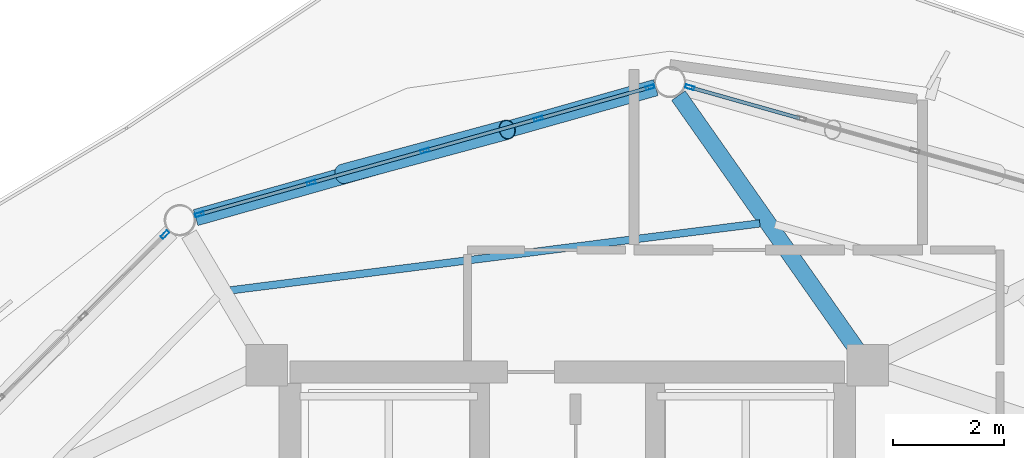
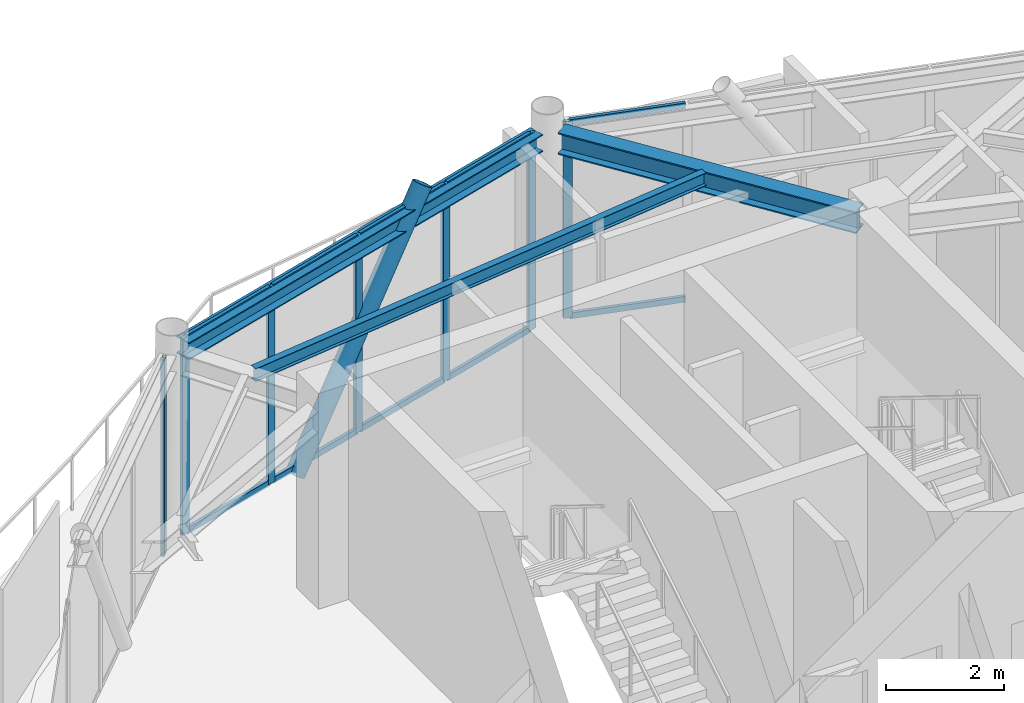
# One storey, part 15 of 24: 18 members, 3 beams, 3 elements without a shape of their own.
"""IFC4 building model written with IfcOpenShell, lengths in metres."""

import ifcopenshell
import ifcopenshell.guid

model = None  # the IFC model being written
_history = None  # IfcOwnerHistory: only IFC2X3 demands one
_inside = {}  # id of a spatial element -> (the spatial element, [elements in it])
_under = {}  # id of a project, library or spatial element -> (it, [spatial elements below it])
_declared = {}  # id of a project -> (the project, [libraries it declares])
_typed = {}  # id of a type object -> (the type object, [elements of that type])
_made_of = {}  # id of a material, layer set ... -> (it, [elements and type objects made of it])


def new_model(schema):
    """Start an empty IFC model of exactly this schema.

    Asked for "IFC4X3", IfcOpenShell would pick the latest addendum, in which some entities
    have other attributes; the version numbers below select the first issue.
    IFC2X3 requires an IfcOwnerHistory on every rooted entity: one is made here for all.
    """
    global model, _history
    if schema == "IFC4X3":
        model = ifcopenshell.file(schema_version=(4, 3, 0, 0))
    else:
        model = ifcopenshell.file(schema=schema)
    _inside.clear()
    _under.clear()
    _declared.clear()
    _typed.clear()
    _made_of.clear()
    _history = None
    if model.schema == "IFC2X3":
        org = make("IfcOrganization", Name="unknown")
        user = make(
            "IfcPersonAndOrganization",
            ThePerson=make("IfcPerson", FamilyName="unknown"),
            TheOrganization=org,
        )
        app = make(
            "IfcApplication",
            ApplicationDeveloper=org,
            Version="unknown",
            ApplicationFullName="unknown",
            ApplicationIdentifier="unknown",
        )
        _history = make(
            "IfcOwnerHistory",
            OwningUser=user,
            OwningApplication=app,
            ChangeAction="ADDED",
            CreationDate=0,
        )
    return model


def make(cls, **values):
    """One entity of the class cls with the attributes given. An attribute that is None is left unset."""
    return model.create_entity(
        cls, **{name: value for name, value in values.items() if value is not None}
    )


def rooted(cls, **values):
    """An entity with a GlobalId (a new one), such as an element, a storey or a relation."""
    return make(cls, GlobalId=ifcopenshell.guid.new(), OwnerHistory=_history, **values)


def si_unit(unit_type, name, prefix=None):
    """IfcSIUnit, for example si_unit("LENGTHUNIT", "METRE", prefix="MILLI")."""
    return make("IfcSIUnit", UnitType=unit_type, Prefix=prefix, Name=name)


def assignment(units):
    """IfcUnitAssignment: the units of a project."""
    return None if units is None else make("IfcUnitAssignment", Units=units)


def point(xyz):
    """IfcCartesianPoint."""
    return None if xyz is None else make("IfcCartesianPoint", Coordinates=xyz)


def direction(xyz):
    """IfcDirection."""
    return None if xyz is None else make("IfcDirection", DirectionRatios=xyz)


def frame(location, z_axis=None, x_axis=None):
    """IfcAxis2Placement3D, a coordinate frame: its origin and axes. An axis left out is left unset."""
    return make(
        "IfcAxis2Placement3D",
        Location=point(location),
        Axis=direction(z_axis),
        RefDirection=direction(x_axis),
    )


def frame_2d(location, x_axis=None):
    """IfcAxis2Placement2D, a coordinate frame in the plane: its origin and x axis."""
    return make(
        "IfcAxis2Placement2D", Location=point(location), RefDirection=direction(x_axis)
    )


def origin():
    """The frame at (0, 0, 0) with its axes left unset."""
    return frame((0.0, 0.0, 0.0))


def origin_2d():
    """The frame at (0, 0) in the plane with its x axis left unset."""
    return frame_2d((0.0, 0.0))


def place(relative_to, where):
    """IfcLocalPlacement: puts the frame where relative to a parent placement (None: the world)."""
    return make(
        "IfcLocalPlacement", PlacementRelTo=relative_to, RelativePlacement=where
    )


def context(
    kind, dimensions, precision=None, world=None, true_north=None, identifier=None
):
    """IfcGeometricRepresentationContext, for example the 3D "Model" context."""
    return make(
        "IfcGeometricRepresentationContext",
        ContextIdentifier=identifier,
        ContextType=kind,
        CoordinateSpaceDimension=dimensions,
        Precision=precision,
        WorldCoordinateSystem=world,
        TrueNorth=true_north,
    )


def subcontext(parent, identifier, kind, view, scale=None):
    """IfcGeometricRepresentationSubContext, for example "Body" below "Model"."""
    return make(
        "IfcGeometricRepresentationSubContext",
        ContextIdentifier=identifier,
        ContextType=kind,
        ParentContext=parent,
        TargetScale=scale,
        TargetView=view,
    )


def project(units=None, contexts=None):
    """IfcProject with its units and contexts."""
    return rooted(
        "IfcProject",
        Name="project",
        RepresentationContexts=contexts,
        UnitsInContext=assignment(units),
    )


def spatial(cls, under=None, at=None, **own):
    """A site, building, storey or space (cls), placed at a placement, below another one or the project."""
    s = rooted(cls, ObjectPlacement=at, **own)
    if under is not None:
        _under.setdefault(under.id(), (under, []))[1].append(s)
    return s


def profile(cls, at=None, kind="AREA", **sizes):
    """A parametric profile (cls). Its sizes go by their IFC names, for example OverallWidth=200.0."""
    return make(cls, ProfileType=kind, Position=at, **sizes)


def hollow_rectangle(**sizes):
    """IfcRectangleHollowProfileDef."""
    return profile("IfcRectangleHollowProfileDef", **sizes)


def hollow_circle(**sizes):
    """IfcCircleHollowProfileDef."""
    return profile("IfcCircleHollowProfileDef", **sizes)


def i_section(**sizes):
    """IfcIShapeProfileDef."""
    return profile("IfcIShapeProfileDef", **sizes)


def extrude(swept, where, along, depth):
    """IfcExtrudedAreaSolid: the profile swept, set in the frame where, extruded along a direction by depth."""
    return make(
        "IfcExtrudedAreaSolid",
        SweptArea=swept,
        Position=where,
        ExtrudedDirection=direction(along),
        Depth=depth,
    )


def shape(context_of_items, identifier, shape_type, items):
    """IfcShapeRepresentation: the items that make up one representation, for example the "Body"."""
    return make(
        "IfcShapeRepresentation",
        ContextOfItems=context_of_items,
        RepresentationIdentifier=identifier,
        RepresentationType=shape_type,
        Items=items,
    )


def material(Name=None, Category=None):
    """IfcMaterial."""
    return make("IfcMaterial", Name=Name, Category=Category)


def layer(
    of_material, thickness, ventilated=None, Name=None, Category=None, Priority=None
):
    """IfcMaterialLayer: one layer of a wall or slab, of a material (None: an air gap)."""
    return make(
        "IfcMaterialLayer",
        Material=of_material,
        LayerThickness=thickness,
        IsVentilated=ventilated,
        Name=Name,
        Category=Category,
        Priority=Priority,
    )


def layer_set(layers, Name=None):
    """IfcMaterialLayerSet."""
    return make("IfcMaterialLayerSet", MaterialLayers=layers, LayerSetName=Name)


def material_profile(
    of_material, cross_section, Name=None, Category=None, Priority=None
):
    """IfcMaterialProfile: a cross section and its material."""
    return make(
        "IfcMaterialProfile",
        Name=Name,
        Material=of_material,
        Profile=cross_section,
        Priority=Priority,
        Category=Category,
    )


def profile_set(profiles, Name=None, composite=None):
    """IfcMaterialProfileSet."""
    return make(
        "IfcMaterialProfileSet",
        Name=Name,
        MaterialProfiles=profiles,
        CompositeProfile=composite,
    )


def made_of(thing, what):
    """Note that an element or type object is made of a material, layer set ...; save() writes the relation."""
    if what is not None:
        _made_of.setdefault(what.id(), (what, []))[1].append(thing)
    return thing


def type_object(cls, material=None, **own):
    """A type object (cls), such as IfcWallType, which elements share."""
    return made_of(rooted(cls, **own), material)


def element(
    cls,
    number,
    at=None,
    inside=None,
    cuts=None,
    type_object=None,
    material=None,
    context=None,
    identifier="Body",
    shape_type=None,
    held_by="IfcProductDefinitionShape",
    body=None,
    shapes=None,
    **own,
):
    """One element of the class cls, such as IfcWall. Its Tag is "e" and its number.

    at: its placement. inside: the storey or other place that contains it. cuts: it is an
    opening in that element (IfcRelVoidsElement). A single representation is given by context,
    identifier, shape_type and body (its items); several are given by shapes. held_by: the class
    of the entity that holds the representations. save() writes the other relations.
    """
    e = rooted(cls, Tag="e%d" % number, ObjectPlacement=at, **own)
    if body is not None:
        shapes = [shape(context, identifier, shape_type, body)]
    if shapes is not None:
        e.Representation = make(held_by, Representations=shapes)
    if inside is not None:
        _inside.setdefault(inside.id(), (inside, []))[1].append(e)
    if cuts is not None:
        rooted(
            "IfcRelVoidsElement", RelatingBuildingElement=cuts, RelatedOpeningElement=e
        )
    if type_object is not None:
        _typed.setdefault(type_object.id(), (type_object, []))[1].append(e)
    return made_of(e, material)


def aggregate(whole, parts):
    """IfcRelAggregates: a whole, such as a stair, and the parts it consists of."""
    return rooted("IfcRelAggregates", RelatingObject=whole, RelatedObjects=parts)


def save(model, path):
    """Write the relations noted so far, then the file.

    IfcRelAggregates (storeys below a building ...), IfcRelContainedInSpatialStructure (elements
    in a storey), IfcRelDefinesByType, IfcRelAssociatesMaterial and IfcRelDeclares: one each for
    every whole, place, type object, material and project.
    """
    for whole, parts in _under.values():
        aggregate(whole, parts)
    for where, things in _inside.values():
        rooted(
            "IfcRelContainedInSpatialStructure",
            RelatedElements=things,
            RelatingStructure=where,
        )
    for kind, things in _typed.values():
        rooted("IfcRelDefinesByType", RelatedObjects=things, RelatingType=kind)
    for what, things in _made_of.values():
        rooted("IfcRelAssociatesMaterial", RelatedObjects=things, RelatingMaterial=what)
    for by, libraries in _declared.values():
        rooted("IfcRelDeclares", RelatingContext=by, RelatedDefinitions=libraries)
    model.write(path)


model = new_model("IFC4")

# Units and contexts
model_context = context("Model", 3, precision=1e-05, world=origin(), true_north=direction((0.0, 1.0)))
body_context = subcontext(model_context, "Body", "Model", "MODEL_VIEW")
ifc_project = project(units=[si_unit("LENGTHUNIT", "METRE"), si_unit("AREAUNIT", "SQUARE_METRE"), si_unit("VOLUMEUNIT", "CUBIC_METRE"), si_unit("PLANEANGLEUNIT", "RADIAN"), si_unit("MASSUNIT", "GRAM", prefix="KILO")], contexts=[model_context])

# Site, building, storey
site_placement = place(None, origin())
site = spatial("IfcSite", under=ifc_project, at=site_placement, CompositionType="ELEMENT")
building_placement = place(site_placement, origin())
building = spatial("IfcBuilding", under=site, at=building_placement, Name="Varnakorn Sky Granary", CompositionType="ELEMENT")
storey_placement = place(building_placement, frame((0.0, 0.0, 285.0)))
storey = spatial("IfcBuildingStorey", under=building, at=storey_placement, Name="L73", CompositionType="ELEMENT", Elevation=285.0)

# Beams
ifc_material_1 = material(Name="Steel S355JR", Category="steel")
ifc_material_profile_1 = material_profile(ifc_material_1, i_section(OverallWidth=0.300048828125, OverallDepth=0.449951171875, WebThickness=0.013916015625, FlangeThickness=0.02587890625, at=origin_2d()), Name="HE 450 B")
ifc_profile_set_1 = profile_set([ifc_material_profile_1], Name="Steel S355JR")
beam_type_1 = type_object("IfcBeamType", Name="BM-RAD-Z5", PredefinedType="BEAM", material=ifc_profile_set_1)
beam_1_placement = place(storey_placement, frame((8.2158203125, 12.910400390625, 3.85498046875), z_axis=(-0.574944726435, 0.81819225219, 0.0), x_axis=(-0.81819225219, -0.574944726435, 0.0)))
element("IfcBeam", 1, at=beam_1_placement, inside=storey, type_object=beam_type_1, Name="Radial Floor Girder RG04 L73", PredefinedType="BEAM", context=body_context, shape_type="SweptSolid", body=[
    extrude(i_section(OverallWidth=0.300048828125, OverallDepth=0.449951171875, WebThickness=0.013916015625, FlangeThickness=0.02587890625, at=origin_2d()), origin(), (0.0, 0.0, 1.0), 5.58935546875),
])
ifc_material_profile_2 = material_profile(ifc_material_1, i_section(OverallWidth=0.135009765625, OverallDepth=0.27001953125, WebThickness=0.006591796875, FlangeThickness=0.01025390625, at=origin_2d()), Name="IPE 270")
ifc_profile_set_2 = profile_set([ifc_material_profile_2], Name="Steel S355JR")
beam_type_2 = type_object("IfcBeamType", Name="BM-SEC-Z5", PredefinedType="BEAM", material=ifc_profile_set_2)
beam_2_placement = place(storey_placement, frame((6.47021484375, 15.179443359375, 3.945068359375), z_axis=(-0.99209603586, -0.125480897472, 0.0), x_axis=(0.125480897472, -0.99209603586, 0.0)))
element("IfcBeam", 2, at=beam_2_placement, inside=storey, type_object=beam_type_2, Name="Secondary Floor Chord Beam MSB04 L73", PredefinedType="BEAM", context=body_context, shape_type="SweptSolid", body=[
    extrude(i_section(OverallWidth=0.135009765625, OverallDepth=0.27001953125, WebThickness=0.006591796875, FlangeThickness=0.01025390625, at=origin_2d()), origin(), (0.0, 0.0, 1.0), 9.619140625),
])
ifc_material_profile_3 = material_profile(ifc_material_1, i_section(OverallWidth=0.300048828125, OverallDepth=0.360107421875, WebThickness=0.012451171875, FlangeThickness=0.0224609375, at=origin_2d()), Name="HE 360 B")
ifc_profile_set_3 = profile_set([ifc_material_profile_3], Name="Steel S355JR")
beam_type_3 = type_object("IfcBeamType", Name="BM-SPD-Z5", PredefinedType="SPANDREL", material=ifc_profile_set_3)
beam_3_placement = place(storey_placement, frame((4.595458984375, 17.628173828125, 3.89990234375), z_axis=(-0.962330662172, -0.271881769604, 0.0), x_axis=(0.271881769604, -0.962330662172, 0.0)))
element("IfcBeam", 3, at=beam_3_placement, inside=storey, type_object=beam_type_3, Name="Perimeter Spandrel Ring Beam RB04 L73", PredefinedType="SPANDREL", context=body_context, shape_type="SweptSolid", body=[
    extrude(i_section(OverallWidth=0.300048828125, OverallDepth=0.360107421875, WebThickness=0.012451171875, FlangeThickness=0.0224609375, at=origin_2d()), origin(), (0.0, 0.0, 1.0), 8.623046875),
])

# Curtain wall, member
ifc_material_2 = material(Name="Anodised Bronze Aluminium Alloy 6063-T6", Category="aluminium")
ifc_layer = layer(ifc_material_2, 0.159912109375, Name="Anodised Bronze Aluminium Alloy 6063-T6")
ifc_layer_set = layer_set([ifc_layer], Name="Anodised Bronze Aluminium Alloy 6063-T6")
curtain_wall_type = type_object("IfcCurtainWallType", Name="CW-OFF-1", PredefinedType="USERDEFINED", material=ifc_layer_set)
curtain_wall_1_placement = place(storey_placement, origin())
curtain_wall_1 = element("IfcCurtainWall", 4, at=curtain_wall_1_placement, inside=storey, type_object=curtain_wall_type, Name="Unitised Curtain Wall CW6 CW-L73-B03", ObjectType="CURTAIN WALL", PredefinedType="USERDEFINED")
ifc_material_profile_4 = material_profile(ifc_material_2, hollow_rectangle(XDim=0.06494140625, YDim=0.159912109375, WallThickness=0.00341796875, at=origin_2d()), Name="ALU MULL 65x160")
ifc_profile_set_4 = profile_set([ifc_material_profile_4], Name="Anodised Bronze Aluminium Alloy 6063-T6")
member_type_1 = type_object("IfcMemberType", Name="CW-OFF-1-MULL", PredefinedType="MULLION", material=ifc_profile_set_4)
member_1_placement = place(storey_placement, frame((5.2080078125, 17.633056640625, 0.0), z_axis=(0.0, 0.0, 1.0), x_axis=(0.271372217369, 0.962474477397, 0.0)))
member_1 = element("IfcMember", 5, at=member_1_placement, type_object=member_type_1, Name="CW6 mullion 1", PredefinedType="MULLION", context=body_context, shape_type="SweptSolid", body=[
    extrude(hollow_rectangle(XDim=0.06494140625, YDim=0.159912109375, WallThickness=0.00341796875, at=origin_2d()), origin(), (0.0, 0.0, 1.0), 4.080078125),
])

# Curtain wall, members
curtain_wall_2_placement = place(storey_placement, origin())
curtain_wall_2 = element("IfcCurtainWall", 6, at=curtain_wall_2_placement, inside=storey, type_object=curtain_wall_type, Name="Unitised Curtain Wall CW6 CW-L73-B04", ObjectType="CURTAIN WALL", PredefinedType="USERDEFINED")
member_2_placement = place(storey_placement, frame((-3.63330078125, 15.342041015625, 0.0), z_axis=(0.0, 0.0, 1.0), x_axis=(-0.271372217369, 0.962474477397, 0.0)))
member_2 = element("IfcMember", 7, at=member_2_placement, type_object=member_type_1, Name="CW6 mullion 1", PredefinedType="MULLION", context=body_context, shape_type="SweptSolid", body=[
    extrude(hollow_rectangle(XDim=0.06494140625, YDim=0.159912109375, WallThickness=0.00341796875, at=origin_2d()), origin(), (0.0, 0.0, 1.0), 4.080078125),
])
member_3_placement = place(storey_placement, frame((-1.61767578125, 15.910400390625, 0.0), z_axis=(0.0, 0.0, 1.0), x_axis=(-0.271372217369, 0.962474477397, 0.0)))
member_3 = element("IfcMember", 8, at=member_3_placement, type_object=member_type_1, Name="CW6 mullion 2", PredefinedType="MULLION", context=body_context, shape_type="SweptSolid", body=[
    extrude(hollow_rectangle(XDim=0.06494140625, YDim=0.159912109375, WallThickness=0.00341796875, at=origin_2d()), origin(), (0.0, 0.0, 1.0), 4.080078125),
])
member_4_placement = place(storey_placement, frame((0.42919921875, 16.487548828125, 0.0), z_axis=(0.0, 0.0, 1.0), x_axis=(-0.271372217369, 0.962474477397, 0.0)))
member_4 = element("IfcMember", 9, at=member_4_placement, type_object=member_type_1, Name="CW6 mullion 3", PredefinedType="MULLION", context=body_context, shape_type="SweptSolid", body=[
    extrude(hollow_rectangle(XDim=0.06494140625, YDim=0.159912109375, WallThickness=0.00341796875, at=origin_2d()), origin(), (0.0, 0.0, 1.0), 4.080078125),
])
member_5_placement = place(storey_placement, frame((2.476318359375, 17.064697265625, 0.0), z_axis=(0.0, 0.0, 1.0), x_axis=(-0.271372217369, 0.962474477397, 0.0)))
member_5 = element("IfcMember", 10, at=member_5_placement, type_object=member_type_1, Name="CW6 mullion 4", PredefinedType="MULLION", context=body_context, shape_type="SweptSolid", body=[
    extrude(hollow_rectangle(XDim=0.06494140625, YDim=0.159912109375, WallThickness=0.00341796875, at=origin_2d()), origin(), (0.0, 0.0, 1.0), 4.080078125),
])
member_6_placement = place(storey_placement, frame((4.491943359375, 17.633056640625, 0.0), z_axis=(0.0, 0.0, 1.0), x_axis=(-0.271372217369, 0.962474477397, 0.0)))
member_6 = element("IfcMember", 11, at=member_6_placement, type_object=member_type_1, Name="CW6 mullion 5", PredefinedType="MULLION", context=body_context, shape_type="SweptSolid", body=[
    extrude(hollow_rectangle(XDim=0.06494140625, YDim=0.159912109375, WallThickness=0.00341796875, at=origin_2d()), origin(), (0.0, 0.0, 1.0), 4.080078125),
])

# Curtain wall, member
curtain_wall_3_placement = place(storey_placement, origin())
curtain_wall_3 = element("IfcCurtainWall", 12, at=curtain_wall_3_placement, inside=storey, type_object=curtain_wall_type, Name="Unitised Curtain Wall CW6 CW-L73-B05", ObjectType="CURTAIN WALL", PredefinedType="USERDEFINED")
member_7_placement = place(storey_placement, frame((-4.255126953125, 14.978759765625, 0.0), z_axis=(0.0, 0.0, 1.0), x_axis=(-0.705418921213, 0.708790621831, 0.0)))
member_7 = element("IfcMember", 13, at=member_7_placement, type_object=member_type_1, Name="CW6 mullion 5", PredefinedType="MULLION", context=body_context, shape_type="SweptSolid", body=[
    extrude(hollow_rectangle(XDim=0.06494140625, YDim=0.159912109375, WallThickness=0.00341796875, at=origin_2d()), origin(), (0.0, 0.0, 1.0), 4.080078125),
])
aggregate(curtain_wall_3, [member_7])

# Member
ifc_material_profile_5 = material_profile(ifc_material_2, hollow_rectangle(XDim=0.06494140625, YDim=0.1201171875, WallThickness=0.00341796875, at=origin_2d()), Name="ALU TRAN 65x120")
ifc_profile_set_5 = profile_set([ifc_material_profile_5], Name="Anodised Bronze Aluminium Alloy 6063-T6")
member_type_2 = type_object("IfcMemberType", Name="CW-OFF-1-TRAN", PredefinedType="USERDEFINED", material=ifc_profile_set_5)
member_8_placement = place(storey_placement, frame((5.2392578125, 17.624267578125, 0.032470703125), z_axis=(0.962462570258, -0.271414444813, 0.0), x_axis=(0.271414444813, 0.962462570258, 0.0)))
member_8 = element("IfcMember", 14, at=member_8_placement, type_object=member_type_2, Name="CW6 transom 1.1", ObjectType="TRANSOM", PredefinedType="USERDEFINED", context=body_context, shape_type="SweptSolid", body=[
    extrude(hollow_rectangle(XDim=0.06494140625, YDim=0.1201171875, WallThickness=0.00341796875, at=origin_2d()), origin(), (0.0, 0.0, 1.0), 2.029296875),
])

member_9_placement = place(storey_placement, frame((5.2392578125, 17.624267578125, 4.047607421875), z_axis=(0.962462570258, -0.271414444813, 0.0), x_axis=(0.271414444813, 0.962462570258, 0.0)))
member_9 = element("IfcMember", 15, at=member_9_placement, type_object=member_type_2, Name="CW6 transom 1.2", ObjectType="TRANSOM", PredefinedType="USERDEFINED", context=body_context, shape_type="SweptSolid", body=[
    extrude(hollow_rectangle(XDim=0.06494140625, YDim=0.1201171875, WallThickness=0.00341796875, at=origin_2d()), origin(), (0.0, 0.0, 1.0), 2.029296875),
])

aggregate(curtain_wall_1, [member_1, member_8, member_9])

member_10_placement = place(storey_placement, frame((-3.60205078125, 15.350830078125, 0.032470703125), z_axis=(0.962462570258, 0.271414444813, 0.0), x_axis=(-0.271414444813, 0.962462570258, 0.0)))
member_10 = element("IfcMember", 16, at=member_10_placement, type_object=member_type_2, Name="CW6 transom 1.1", ObjectType="TRANSOM", PredefinedType="USERDEFINED", context=body_context, shape_type="SweptSolid", body=[
    extrude(hollow_rectangle(XDim=0.06494140625, YDim=0.1201171875, WallThickness=0.00341796875, at=origin_2d()), origin(), (0.0, 0.0, 1.0), 2.029296875),
])

member_11_placement = place(storey_placement, frame((-3.60205078125, 15.350830078125, 4.047607421875), z_axis=(0.962462570258, 0.271414444813, 0.0), x_axis=(-0.271414444813, 0.962462570258, 0.0)))
member_11 = element("IfcMember", 17, at=member_11_placement, type_object=member_type_2, Name="CW6 transom 1.2", ObjectType="TRANSOM", PredefinedType="USERDEFINED", context=body_context, shape_type="SweptSolid", body=[
    extrude(hollow_rectangle(XDim=0.06494140625, YDim=0.1201171875, WallThickness=0.00341796875, at=origin_2d()), origin(), (0.0, 0.0, 1.0), 2.029296875),
])

member_12_placement = place(storey_placement, frame((-1.58642578125, 15.919189453125, 0.032470703125), z_axis=(0.962465539742, 0.271403914504, 0.0), x_axis=(-0.271403914504, 0.962465539742, 0.0)))
member_12 = element("IfcMember", 18, at=member_12_placement, type_object=member_type_2, Name="CW6 transom 2.1", ObjectType="TRANSOM", PredefinedType="USERDEFINED", context=body_context, shape_type="SweptSolid", body=[
    extrude(hollow_rectangle(XDim=0.06494140625, YDim=0.1201171875, WallThickness=0.00341796875, at=origin_2d()), origin(), (0.0, 0.0, 1.0), 2.061767578125),
])

member_13_placement = place(storey_placement, frame((-1.58642578125, 15.919189453125, 4.047607421875), z_axis=(0.962465539742, 0.271403914504, 0.0), x_axis=(-0.271403914504, 0.962465539742, 0.0)))
member_13 = element("IfcMember", 19, at=member_13_placement, type_object=member_type_2, Name="CW6 transom 2.2", ObjectType="TRANSOM", PredefinedType="USERDEFINED", context=body_context, shape_type="SweptSolid", body=[
    extrude(hollow_rectangle(XDim=0.06494140625, YDim=0.1201171875, WallThickness=0.00341796875, at=origin_2d()), origin(), (0.0, 0.0, 1.0), 2.061767578125),
])

member_14_placement = place(storey_placement, frame((0.46044921875, 16.496337890625, 0.032470703125), z_axis=(0.962465539742, 0.271403914504, 0.0), x_axis=(-0.271403914504, 0.962465539742, 0.0)))
member_14 = element("IfcMember", 20, at=member_14_placement, type_object=member_type_2, Name="CW6 transom 3.1", ObjectType="TRANSOM", PredefinedType="USERDEFINED", context=body_context, shape_type="SweptSolid", body=[
    extrude(hollow_rectangle(XDim=0.06494140625, YDim=0.1201171875, WallThickness=0.00341796875, at=origin_2d()), origin(), (0.0, 0.0, 1.0), 2.061767578125),
])

member_15_placement = place(storey_placement, frame((0.46044921875, 16.496337890625, 4.047607421875), z_axis=(0.962465539742, 0.271403914504, 0.0), x_axis=(-0.271403914504, 0.962465539742, 0.0)))
member_15 = element("IfcMember", 21, at=member_15_placement, type_object=member_type_2, Name="CW6 transom 3.2", ObjectType="TRANSOM", PredefinedType="USERDEFINED", context=body_context, shape_type="SweptSolid", body=[
    extrude(hollow_rectangle(XDim=0.06494140625, YDim=0.1201171875, WallThickness=0.00341796875, at=origin_2d()), origin(), (0.0, 0.0, 1.0), 2.061767578125),
])

member_16_placement = place(storey_placement, frame((2.507568359375, 17.073486328125, 0.032470703125), z_axis=(0.962462570258, 0.271414444813, 0.0), x_axis=(-0.271414444813, 0.962462570258, 0.0)))
member_16 = element("IfcMember", 22, at=member_16_placement, type_object=member_type_2, Name="CW6 transom 4.1", ObjectType="TRANSOM", PredefinedType="USERDEFINED", context=body_context, shape_type="SweptSolid", body=[
    extrude(hollow_rectangle(XDim=0.06494140625, YDim=0.1201171875, WallThickness=0.00341796875, at=origin_2d()), origin(), (0.0, 0.0, 1.0), 2.029296875),
])

member_17_placement = place(storey_placement, frame((2.507568359375, 17.073486328125, 4.047607421875), z_axis=(0.962462570258, 0.271414444813, 0.0), x_axis=(-0.271414444813, 0.962462570258, 0.0)))
member_17 = element("IfcMember", 23, at=member_17_placement, type_object=member_type_2, Name="CW6 transom 4.2", ObjectType="TRANSOM", PredefinedType="USERDEFINED", context=body_context, shape_type="SweptSolid", body=[
    extrude(hollow_rectangle(XDim=0.06494140625, YDim=0.1201171875, WallThickness=0.00341796875, at=origin_2d()), origin(), (0.0, 0.0, 1.0), 2.029296875),
])

aggregate(curtain_wall_2, [member_2, member_3, member_4, member_5, member_6, member_10, member_11, member_12, member_13, member_14, member_15, member_16, member_17])

ifc_material_3 = material(Name="Steel S460M", Category="steel")
ifc_material_profile_6 = material_profile(ifc_material_3, hollow_circle(Radius=0.177734375, WallThickness=0.01416015625, at=origin_2d()), Name="CHS 355.6x14")
ifc_profile_set_6 = profile_set([ifc_material_profile_6], Name="Steel S460M")
member_type_3 = type_object("IfcMemberType", Name="MB-DIAG-T5", PredefinedType="BRACE", material=ifc_profile_set_6)
member_18_placement = place(storey_placement, frame((-1.044189453125, 16.072021484375, -0.1298828125), z_axis=(0.541783634141, 0.14624313148, 0.827697674439), x_axis=(-0.260601990621, 0.965446322943, 0.0)))
element("IfcMember", 24, at=member_18_placement, inside=storey, type_object=member_type_3, Name="Perimeter CHS Diagrid Brace DG04 L73", PredefinedType="BRACE", context=body_context, shape_type="SweptSolid", body=[
    extrude(hollow_circle(Radius=0.177734375, WallThickness=0.01416015625, at=origin_2d()), origin(), (0.0, 0.0, 1.0), 5.460693359375),
])

save(model, "model.ifc")
